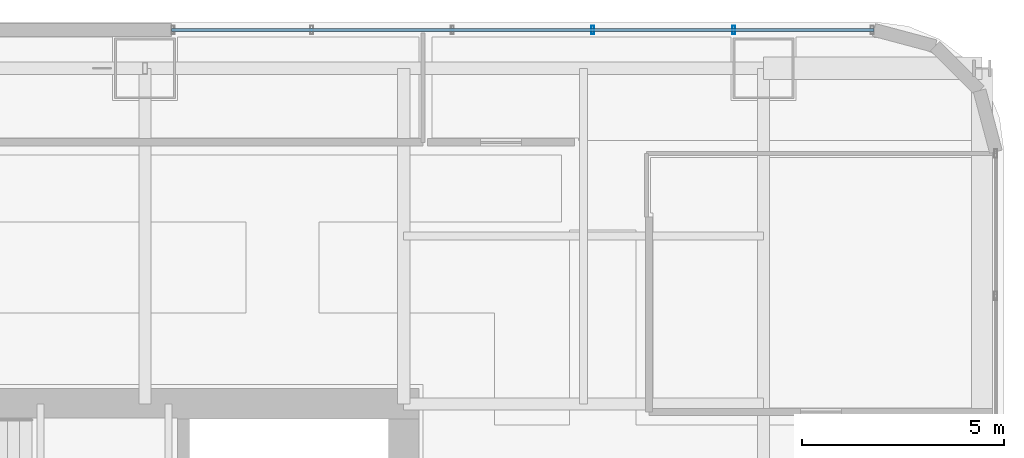
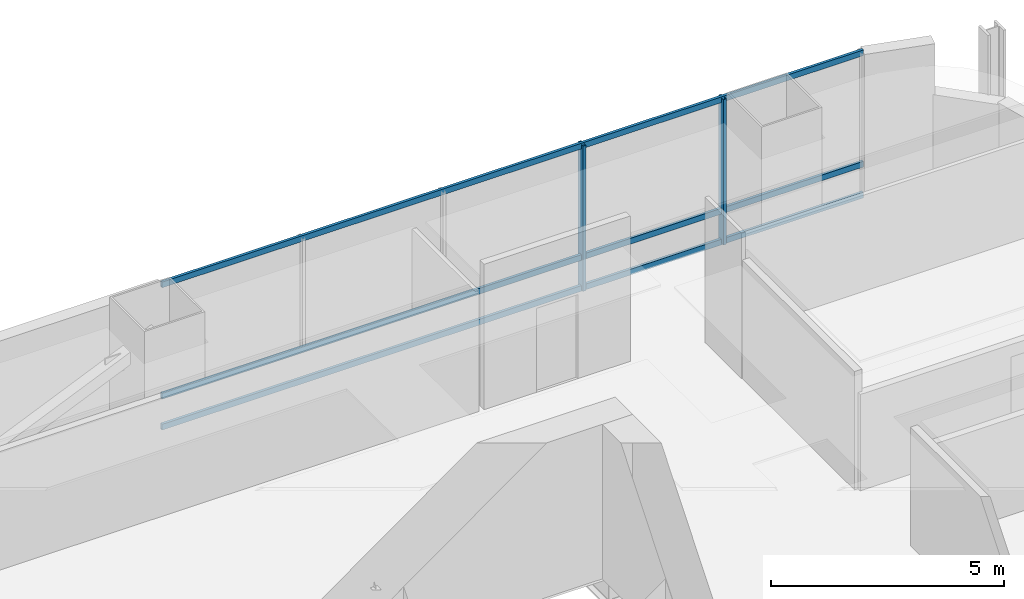
# One storey, part 23 of 40: 5 members, 1 element without a shape of its own.
"""IFC4 building model written with IfcOpenShell, lengths in metres."""

import ifcopenshell
import ifcopenshell.guid

model = None  # the IFC model being written
_history = None  # IfcOwnerHistory: only IFC2X3 demands one
_inside = {}  # id of a spatial element -> (the spatial element, [elements in it])
_under = {}  # id of a project, library or spatial element -> (it, [spatial elements below it])
_declared = {}  # id of a project -> (the project, [libraries it declares])
_typed = {}  # id of a type object -> (the type object, [elements of that type])
_made_of = {}  # id of a material, layer set ... -> (it, [elements and type objects made of it])


def new_model(schema):
    """Start an empty IFC model of exactly this schema.

    Asked for "IFC4X3", IfcOpenShell would pick the latest addendum, in which some entities
    have other attributes; the version numbers below select the first issue.
    IFC2X3 requires an IfcOwnerHistory on every rooted entity: one is made here for all.
    """
    global model, _history
    if schema == "IFC4X3":
        model = ifcopenshell.file(schema_version=(4, 3, 0, 0))
    else:
        model = ifcopenshell.file(schema=schema)
    _inside.clear()
    _under.clear()
    _declared.clear()
    _typed.clear()
    _made_of.clear()
    _history = None
    if model.schema == "IFC2X3":
        org = make("IfcOrganization", Name="unknown")
        user = make(
            "IfcPersonAndOrganization",
            ThePerson=make("IfcPerson", FamilyName="unknown"),
            TheOrganization=org,
        )
        app = make(
            "IfcApplication",
            ApplicationDeveloper=org,
            Version="unknown",
            ApplicationFullName="unknown",
            ApplicationIdentifier="unknown",
        )
        _history = make(
            "IfcOwnerHistory",
            OwningUser=user,
            OwningApplication=app,
            ChangeAction="ADDED",
            CreationDate=0,
        )
    return model


def make(cls, **values):
    """One entity of the class cls with the attributes given. An attribute that is None is left unset."""
    return model.create_entity(
        cls, **{name: value for name, value in values.items() if value is not None}
    )


def rooted(cls, **values):
    """An entity with a GlobalId (a new one), such as an element, a storey or a relation."""
    return make(cls, GlobalId=ifcopenshell.guid.new(), OwnerHistory=_history, **values)


def si_unit(unit_type, name, prefix=None):
    """IfcSIUnit, for example si_unit("LENGTHUNIT", "METRE", prefix="MILLI")."""
    return make("IfcSIUnit", UnitType=unit_type, Prefix=prefix, Name=name)


def assignment(units):
    """IfcUnitAssignment: the units of a project."""
    return None if units is None else make("IfcUnitAssignment", Units=units)


def point(xyz):
    """IfcCartesianPoint."""
    return None if xyz is None else make("IfcCartesianPoint", Coordinates=xyz)


def direction(xyz):
    """IfcDirection."""
    return None if xyz is None else make("IfcDirection", DirectionRatios=xyz)


def frame(location, z_axis=None, x_axis=None):
    """IfcAxis2Placement3D, a coordinate frame: its origin and axes. An axis left out is left unset."""
    return make(
        "IfcAxis2Placement3D",
        Location=point(location),
        Axis=direction(z_axis),
        RefDirection=direction(x_axis),
    )


def frame_2d(location, x_axis=None):
    """IfcAxis2Placement2D, a coordinate frame in the plane: its origin and x axis."""
    return make(
        "IfcAxis2Placement2D", Location=point(location), RefDirection=direction(x_axis)
    )


def origin():
    """The frame at (0, 0, 0) with its axes left unset."""
    return frame((0.0, 0.0, 0.0))


def origin_2d():
    """The frame at (0, 0) in the plane with its x axis left unset."""
    return frame_2d((0.0, 0.0))


def place(relative_to, where):
    """IfcLocalPlacement: puts the frame where relative to a parent placement (None: the world)."""
    return make(
        "IfcLocalPlacement", PlacementRelTo=relative_to, RelativePlacement=where
    )


def context(
    kind, dimensions, precision=None, world=None, true_north=None, identifier=None
):
    """IfcGeometricRepresentationContext, for example the 3D "Model" context."""
    return make(
        "IfcGeometricRepresentationContext",
        ContextIdentifier=identifier,
        ContextType=kind,
        CoordinateSpaceDimension=dimensions,
        Precision=precision,
        WorldCoordinateSystem=world,
        TrueNorth=true_north,
    )


def subcontext(parent, identifier, kind, view, scale=None):
    """IfcGeometricRepresentationSubContext, for example "Body" below "Model"."""
    return make(
        "IfcGeometricRepresentationSubContext",
        ContextIdentifier=identifier,
        ContextType=kind,
        ParentContext=parent,
        TargetScale=scale,
        TargetView=view,
    )


def project(units=None, contexts=None):
    """IfcProject with its units and contexts."""
    return rooted(
        "IfcProject",
        Name="project",
        RepresentationContexts=contexts,
        UnitsInContext=assignment(units),
    )


def spatial(cls, under=None, at=None, **own):
    """A site, building, storey or space (cls), placed at a placement, below another one or the project."""
    s = rooted(cls, ObjectPlacement=at, **own)
    if under is not None:
        _under.setdefault(under.id(), (under, []))[1].append(s)
    return s


def profile(cls, at=None, kind="AREA", **sizes):
    """A parametric profile (cls). Its sizes go by their IFC names, for example OverallWidth=200.0."""
    return make(cls, ProfileType=kind, Position=at, **sizes)


def hollow_rectangle(**sizes):
    """IfcRectangleHollowProfileDef."""
    return profile("IfcRectangleHollowProfileDef", **sizes)


def extrude(swept, where, along, depth):
    """IfcExtrudedAreaSolid: the profile swept, set in the frame where, extruded along a direction by depth."""
    return make(
        "IfcExtrudedAreaSolid",
        SweptArea=swept,
        Position=where,
        ExtrudedDirection=direction(along),
        Depth=depth,
    )


def shape(context_of_items, identifier, shape_type, items):
    """IfcShapeRepresentation: the items that make up one representation, for example the "Body"."""
    return make(
        "IfcShapeRepresentation",
        ContextOfItems=context_of_items,
        RepresentationIdentifier=identifier,
        RepresentationType=shape_type,
        Items=items,
    )


def material(Name=None, Category=None):
    """IfcMaterial."""
    return make("IfcMaterial", Name=Name, Category=Category)


def material_profile(
    of_material, cross_section, Name=None, Category=None, Priority=None
):
    """IfcMaterialProfile: a cross section and its material."""
    return make(
        "IfcMaterialProfile",
        Name=Name,
        Material=of_material,
        Profile=cross_section,
        Priority=Priority,
        Category=Category,
    )


def profile_set(profiles, Name=None, composite=None):
    """IfcMaterialProfileSet."""
    return make(
        "IfcMaterialProfileSet",
        Name=Name,
        MaterialProfiles=profiles,
        CompositeProfile=composite,
    )


def made_of(thing, what):
    """Note that an element or type object is made of a material, layer set ...; save() writes the relation."""
    if what is not None:
        _made_of.setdefault(what.id(), (what, []))[1].append(thing)
    return thing


def type_object(cls, material=None, **own):
    """A type object (cls), such as IfcWallType, which elements share."""
    return made_of(rooted(cls, **own), material)


def element(
    cls,
    number,
    at=None,
    inside=None,
    cuts=None,
    type_object=None,
    material=None,
    context=None,
    identifier="Body",
    shape_type=None,
    held_by="IfcProductDefinitionShape",
    body=None,
    shapes=None,
    **own,
):
    """One element of the class cls, such as IfcWall. Its Tag is "e" and its number.

    at: its placement. inside: the storey or other place that contains it. cuts: it is an
    opening in that element (IfcRelVoidsElement). A single representation is given by context,
    identifier, shape_type and body (its items); several are given by shapes. held_by: the class
    of the entity that holds the representations. save() writes the other relations.
    """
    e = rooted(cls, Tag="e%d" % number, ObjectPlacement=at, **own)
    if body is not None:
        shapes = [shape(context, identifier, shape_type, body)]
    if shapes is not None:
        e.Representation = make(held_by, Representations=shapes)
    if inside is not None:
        _inside.setdefault(inside.id(), (inside, []))[1].append(e)
    if cuts is not None:
        rooted(
            "IfcRelVoidsElement", RelatingBuildingElement=cuts, RelatedOpeningElement=e
        )
    if type_object is not None:
        _typed.setdefault(type_object.id(), (type_object, []))[1].append(e)
    return made_of(e, material)


def aggregate(whole, parts):
    """IfcRelAggregates: a whole, such as a stair, and the parts it consists of."""
    return rooted("IfcRelAggregates", RelatingObject=whole, RelatedObjects=parts)


def save(model, path):
    """Write the relations noted so far, then the file.

    IfcRelAggregates (storeys below a building ...), IfcRelContainedInSpatialStructure (elements
    in a storey), IfcRelDefinesByType, IfcRelAssociatesMaterial and IfcRelDeclares: one each for
    every whole, place, type object, material and project.
    """
    for whole, parts in _under.values():
        aggregate(whole, parts)
    for where, things in _inside.values():
        rooted(
            "IfcRelContainedInSpatialStructure",
            RelatedElements=things,
            RelatingStructure=where,
        )
    for kind, things in _typed.values():
        rooted("IfcRelDefinesByType", RelatedObjects=things, RelatingType=kind)
    for what, things in _made_of.values():
        rooted("IfcRelAssociatesMaterial", RelatedObjects=things, RelatingMaterial=what)
    for by, libraries in _declared.values():
        rooted("IfcRelDeclares", RelatingContext=by, RelatedDefinitions=libraries)
    model.write(path)


model = new_model("IFC4")

# Units and contexts
model_context = context("Model", 3, precision=1e-05, world=origin(), true_north=direction((0.0, 1.0)))
body_context = subcontext(model_context, "Body", "Model", "MODEL_VIEW")
ifc_project = project(units=[si_unit("LENGTHUNIT", "METRE"), si_unit("AREAUNIT", "SQUARE_METRE"), si_unit("VOLUMEUNIT", "CUBIC_METRE"), si_unit("PLANEANGLEUNIT", "RADIAN"), si_unit("MASSUNIT", "GRAM", prefix="KILO")], contexts=[model_context])

# Site, building, storey
site_placement = place(None, origin())
site = spatial("IfcSite", under=ifc_project, at=site_placement, CompositionType="ELEMENT")
building_placement = place(site_placement, origin())
building = spatial("IfcBuilding", under=site, at=building_placement, Name="Punatoya Terracotta Tower", CompositionType="ELEMENT")
storey_placement = place(building_placement, frame((0.0, 0.0, 76.800048828125)))
storey = spatial("IfcBuildingStorey", under=building, at=storey_placement, Name="L17", CompositionType="ELEMENT", Elevation=76.800048828125)

# Curtain wall, members
ifc_material_1 = material(Name="Aluminium 6063-T6 + Double Low-E Glass", Category="aluminium")
curtain_wall_type = type_object("IfcCurtainWallType", Name="CW-M1", PredefinedType="NOTDEFINED", material=ifc_material_1)
curtain_wall_placement = place(storey_placement, origin())
curtain_wall = element("IfcCurtainWall", 1, at=curtain_wall_placement, inside=storey, type_object=curtain_wall_type, Name="L17 Curtain Wall CW-L17-N09-1", PredefinedType="NOTDEFINED")
ifc_material_2 = material(Name="Aluminium 6063-T6", Category="aluminium")
ifc_material_profile_1 = material_profile(ifc_material_2, hollow_rectangle(XDim=0.074951171875, YDim=0.2099609375, WallThickness=0.00439453125, at=origin_2d()))
ifc_profile_set_1 = profile_set([ifc_material_profile_1], Name="Aluminium 6063-T6")
member_type_1 = type_object("IfcMemberType", Name="CW-MUL-M1", PredefinedType="MULLION", material=ifc_profile_set_1)
member_1_placement = place(storey_placement, frame((18.359619140625, 18.449951171875, 0.0), z_axis=(0.0, 0.0, 1.0), x_axis=(1.0, 0.0, 0.0)))
member_1 = element("IfcMember", 2, at=member_1_placement, type_object=member_type_1, Name="CW-L17-N09-1 Mullion 01", PredefinedType="MULLION", context=body_context, shape_type="SweptSolid", body=[
    extrude(hollow_rectangle(XDim=0.074951171875, YDim=0.2099609375, WallThickness=0.00439453125, at=origin_2d()), origin(), (0.0, 0.0, 1.0), 3.81005859375),
])
member_2_placement = place(storey_placement, frame((14.882080078125, 18.449951171875, 0.0), z_axis=(0.0, 0.0, 1.0), x_axis=(1.0, 0.0, 0.0)))
member_2 = element("IfcMember", 3, at=member_2_placement, type_object=member_type_1, Name="CW-L17-N09-1 Mullion 02", PredefinedType="MULLION", context=body_context, shape_type="SweptSolid", body=[
    extrude(hollow_rectangle(XDim=0.074951171875, YDim=0.2099609375, WallThickness=0.00439453125, at=origin_2d()), origin(), (0.0, 0.0, 1.0), 3.81005859375),
])
ifc_material_profile_2 = material_profile(ifc_material_2, hollow_rectangle(XDim=0.068115234375, YDim=0.14990234375, WallThickness=0.00390625, at=origin_2d()))
ifc_profile_set_2 = profile_set([ifc_material_profile_2], Name="Aluminium 6063-T6")
member_type_2 = type_object("IfcMemberType", Name="CW-TRN-TYP", PredefinedType="USERDEFINED", material=ifc_profile_set_2)
member_3_placement = place(storey_placement, frame((21.8369140625, 18.449951171875, 0.0400390625), z_axis=(-1.0, 0.0, 0.0), x_axis=(0.0, -1.0, 0.0)))
member_3 = element("IfcMember", 4, at=member_3_placement, type_object=member_type_2, Name="CW-L17-N09-1 Transom 1", ObjectType="TRANSOM", PredefinedType="USERDEFINED", context=body_context, shape_type="SweptSolid", body=[
    extrude(hollow_rectangle(XDim=0.068115234375, YDim=0.14990234375, WallThickness=0.00390625, at=origin_2d()), origin(), (0.0, 0.0, 1.0), 17.386962890625),
])
member_4_placement = place(storey_placement, frame((21.8369140625, 18.449951171875, 0.849853515625), z_axis=(-1.0, 0.0, 0.0), x_axis=(0.0, -1.0, 0.0)))
member_4 = element("IfcMember", 5, at=member_4_placement, type_object=member_type_2, Name="CW-L17-N09-1 Transom 2", ObjectType="TRANSOM", PredefinedType="USERDEFINED", context=body_context, shape_type="SweptSolid", body=[
    extrude(hollow_rectangle(XDim=0.068115234375, YDim=0.14990234375, WallThickness=0.00390625, at=origin_2d()), origin(), (0.0, 0.0, 1.0), 17.386962890625),
])
member_5_placement = place(storey_placement, frame((21.8369140625, 18.449951171875, 3.77001953125), z_axis=(-1.0, 0.0, 0.0), x_axis=(0.0, -1.0, 0.0)))
member_5 = element("IfcMember", 6, at=member_5_placement, type_object=member_type_2, Name="CW-L17-N09-1 Transom 3", ObjectType="TRANSOM", PredefinedType="USERDEFINED", context=body_context, shape_type="SweptSolid", body=[
    extrude(hollow_rectangle(XDim=0.068115234375, YDim=0.14990234375, WallThickness=0.00390625, at=origin_2d()), origin(), (0.0, 0.0, 1.0), 17.386962890625),
])
aggregate(curtain_wall, [member_1, member_2, member_3, member_4, member_5])

save(model, "model.ifc")
